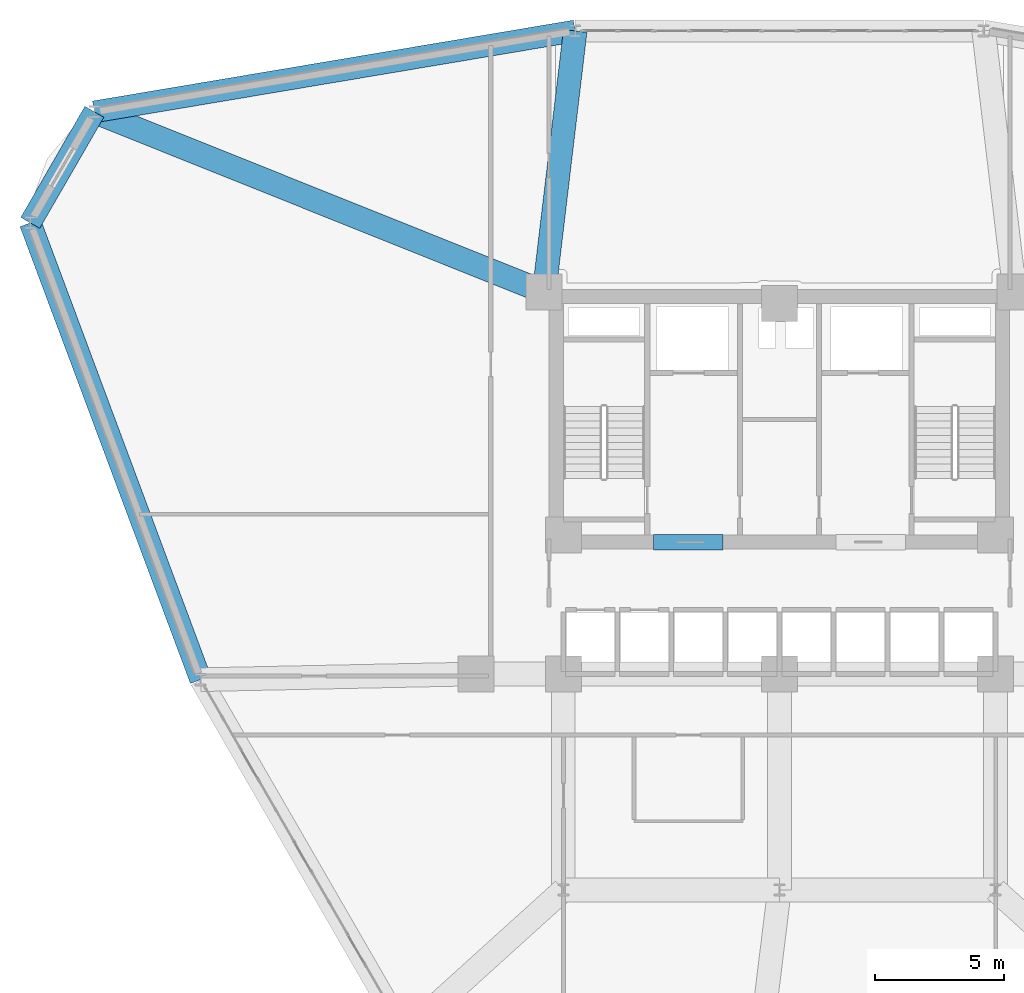
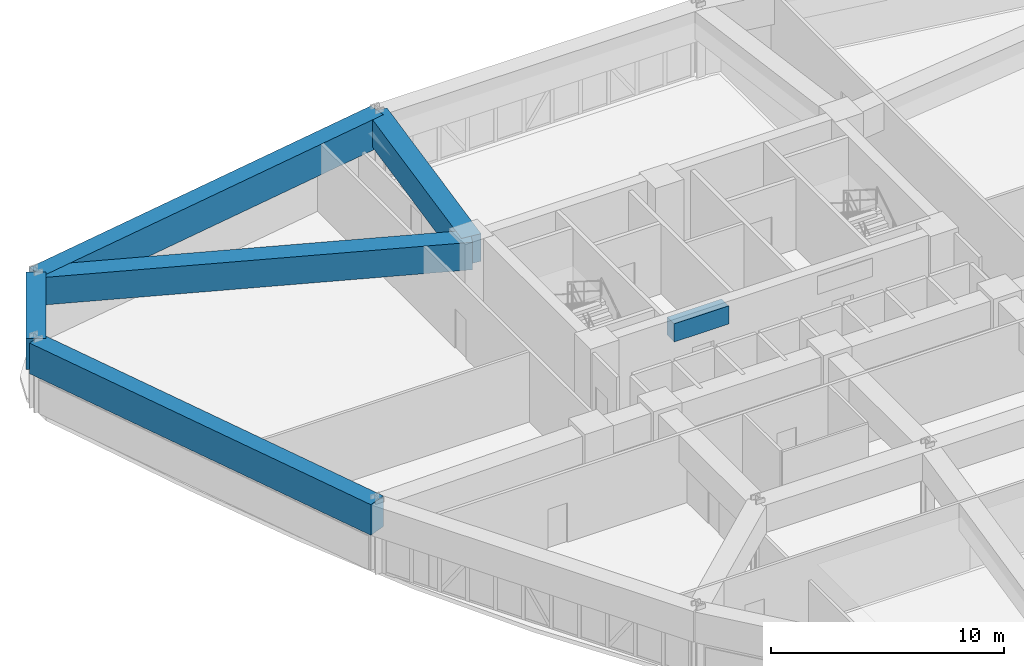
# One storey, part 10 of 20: 6 beams.
"""IFC4 building model written with IfcOpenShell, lengths in metres."""

from ifc_helpers import new_model, si_unit, derived_unit, direction, frame, origin, origin_2d, place, context, subcontext, project, spatial, rectangle, extrude, source, transform, mapped, material, material_profile, profile_set, type_object, element, save


model = new_model("IFC4")

# Units and contexts
model_context = context("Model", 3, precision=1e-05, world=origin(), true_north=direction((0.0, 1.0)))
body_context = subcontext(model_context, "Body", "Model", "MODEL_VIEW")
ifc_project = project(units=[si_unit("LENGTHUNIT", "METRE"), si_unit("AREAUNIT", "SQUARE_METRE"), si_unit("VOLUMEUNIT", "CUBIC_METRE"), si_unit("PLANEANGLEUNIT", "RADIAN"), si_unit("MASSUNIT", "GRAM", prefix="KILO"), derived_unit("THERMALTRANSMITTANCEUNIT", [(si_unit("POWERUNIT", "WATT"), 1), (si_unit("LENGTHUNIT", "METRE"), -2), (si_unit("THERMODYNAMICTEMPERATUREUNIT", "KELVIN"), -1)])], contexts=[model_context])

# Site, building, storey
site_placement = place(None, origin())
site = spatial("IfcSite", under=ifc_project, at=site_placement, CompositionType="ELEMENT")
building_placement = place(site_placement, origin())
building = spatial("IfcBuilding", under=site, at=building_placement, Name="Korsvarv Bourse and Concert Hall", CompositionType="ELEMENT")
storey_placement = place(building_placement, frame((0.0, 0.0, 35.699951171875)))
storey = spatial("IfcBuildingStorey", under=building, at=storey_placement, Name="L08", CompositionType="ELEMENT", Elevation=35.699951171875)

# Beams
ifc_material_1 = material(Name="Concrete C55/67", Category="concrete")
ifc_material_profile_1 = material_profile(ifc_material_1, rectangle(XDim=0.60009765625, YDim=0.949951171875, at=origin_2d()), Name="RC-BM 600x950")
ifc_profile_set_1 = profile_set([ifc_material_profile_1], Name="Concrete C55/67")
beam_type_1 = type_object("IfcBeamType", Name="BM-CPL", PredefinedType="LINTEL", material=ifc_profile_set_1)
shared_shape_1 = source(origin(), body_context, "Body", "SweptSolid", [
    extrude(rectangle(XDim=0.60009765625, YDim=0.949951171875, at=origin_2d()), origin(), (0.0, 0.0, 1.0), 2.699951171875),
])
beam_1_placement = place(storey_placement, frame((31.10009765625, 37.52490234375, 3.205078125), z_axis=(1.0, 0.0, 0.0), x_axis=(0.0, 1.0, 0.0)))
element("IfcBeam", 1, at=beam_1_placement, inside=storey, type_object=beam_type_1, Name="L08 Core Coupling Beam West", PredefinedType="LINTEL", context=body_context, shape_type="MappedRepresentation", body=[
    mapped(shared_shape_1, transform((0.0, 0.0, 0.0), scale=1.0)),
])
ifc_material_profile_2 = material_profile(ifc_material_1, rectangle(XDim=0.85009765625, YDim=1.60009765625, at=origin_2d()), Name="RC-BM 850x1600")
ifc_profile_set_2 = profile_set([ifc_material_profile_2], Name="Concrete C55/67")
beam_type_2 = type_object("IfcBeamType", Name="BM-TR1B", PredefinedType="BEAM", material=ifc_profile_set_2)
shared_shape_2 = source(origin(), body_context, "Body", "SweptSolid", [
    extrude(rectangle(XDim=0.85009765625, YDim=1.60009765625, at=origin_2d()), origin(), (0.0, 0.0, 1.0), 4.985595703125),
])
beam_2_placement = place(storey_placement, frame((9.36279296875, 54.25732421875, 2.880126953125), z_axis=(-0.499983857782, -0.866034723298, 0.0), x_axis=(0.866034723298, -0.499983857782, 0.0)))
element("IfcBeam", 2, at=beam_2_placement, inside=storey, type_object=beam_type_2, Name="L08 beam B-TR2", PredefinedType="BEAM", context=body_context, shape_type="MappedRepresentation", body=[
    mapped(shared_shape_2, transform((0.0, 0.0, 0.0), scale=1.0)),
])
shared_shape_3 = source(origin(), body_context, "Body", "SweptSolid", [
    extrude(rectangle(XDim=0.85009765625, YDim=1.60009765625, at=origin_2d()), origin(), (0.0, 0.0, 1.0), 18.95849609375),
])
for number, where, z_axis, x_axis, name in (
    (3, (28.058837890625, 57.401611328125, 2.880126953125), (-0.98615096674, -0.16585014561, 0.0), (0.16585014561, -0.98615096674, 0.0), "L08 beam B-TR2"),
    (4, (6.8701171875, 49.939697265625, 2.880126953125), (0.349449133057, -0.936955336932, 0.0), (0.936955336932, 0.349449133057, 0.0), "L08 beam B-TR2"),
):
    element("IfcBeam", number, at=place(storey_placement, frame(where, z_axis=z_axis, x_axis=x_axis)), inside=storey, type_object=beam_type_2, Name=name, PredefinedType="BEAM", context=body_context, shape_type="MappedRepresentation", body=[
        mapped(shared_shape_3, transform((0.0, 0.0, 0.0), scale=1.0)),
    ])
ifc_material_2 = material(Name="Concrete C50/60", Category="concrete")
ifc_material_profile_3 = material_profile(ifc_material_2, rectangle(XDim=0.919921875, YDim=1.43994140625, at=origin_2d()), Name="RC-BM 920x1440")
ifc_profile_set_3 = profile_set([ifc_material_profile_3], Name="Concrete C50/60")
beam_type_3 = type_object("IfcBeamType", Name="BM-TR-144", PredefinedType="BEAM", material=ifc_profile_set_3)
shared_shape_4 = source(origin(), body_context, "Body", "SweptSolid", [
    extrude(rectangle(XDim=0.919921875, YDim=1.43994140625, at=origin_2d()), origin(), (0.0, 0.0, 1.0), 10.223388671875),
])
beam_3_placement = place(storey_placement, frame((28.058837890625, 57.401611328125, 2.9599609375), z_axis=(-0.118233633582, -0.992985804476, 0.0), x_axis=(0.992985804476, -0.118233633582, 0.0)))
element("IfcBeam", 5, at=beam_3_placement, inside=storey, type_object=beam_type_3, Name="L08 beam B-TR4", PredefinedType="BEAM", context=body_context, shape_type="MappedRepresentation", body=[
    mapped(shared_shape_4, transform((0.0, 0.0, 0.0), scale=1.0)),
])
shared_shape_5 = source(origin(), body_context, "Body", "SweptSolid", [
    extrude(rectangle(XDim=0.919921875, YDim=1.43994140625, at=origin_2d()), origin(), (0.0, 0.0, 1.0), 18.839111328125),
])
beam_4_placement = place(storey_placement, frame((9.36279296875, 54.25732421875, 2.9599609375), z_axis=(0.928249506062, -0.371958135408, 0.0), x_axis=(0.371958135408, 0.928249506062, 0.0)))
element("IfcBeam", 6, at=beam_4_placement, inside=storey, type_object=beam_type_3, Name="L08 beam B-TR4", PredefinedType="BEAM", context=body_context, shape_type="MappedRepresentation", body=[
    mapped(shared_shape_5, transform((0.0, 0.0, 0.0), scale=1.0)),
])

save(model, "model.ifc")
